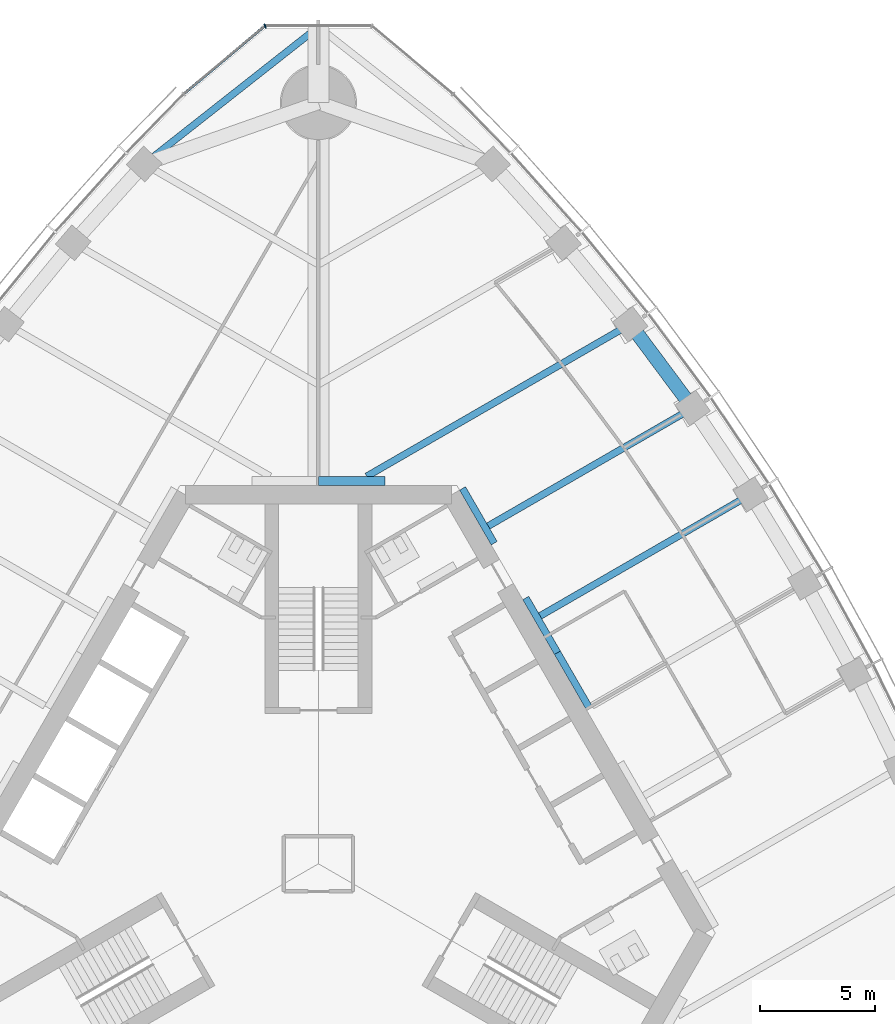
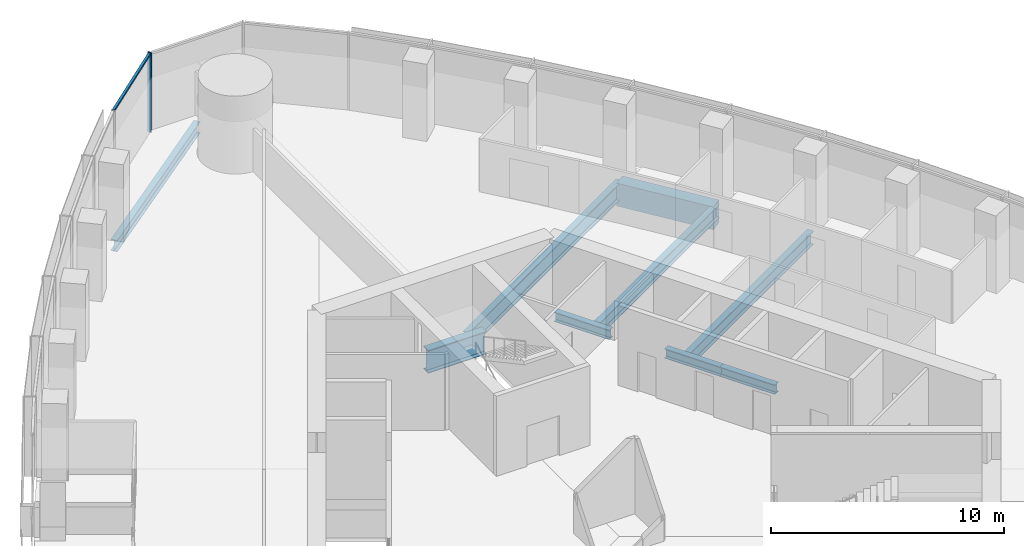
# One storey, part 6 of 20: 9 beams, 2 members, 1 element without a shape of its own.
"""IFC4 building model written with IfcOpenShell, lengths in metres."""

from ifc_helpers import new_model, si_unit, direction, frame, origin, origin_2d, place, context, subcontext, project, spatial, rectangle, i_section, extrude, material, material_profile, profile_set, type_object, element, aggregate, save


model = new_model("IFC4")

# Units and contexts
model_context = context("Model", 3, precision=1e-05, world=origin(), true_north=direction((0.0, 1.0)))
body_context = subcontext(model_context, "Body", "Model", "MODEL_VIEW")
ifc_project = project(units=[si_unit("LENGTHUNIT", "METRE"), si_unit("AREAUNIT", "SQUARE_METRE"), si_unit("VOLUMEUNIT", "CUBIC_METRE"), si_unit("PLANEANGLEUNIT", "RADIAN"), si_unit("MASSUNIT", "GRAM", prefix="KILO")], contexts=[model_context])

# Site, building, storey
site_placement = place(None, origin())
site = spatial("IfcSite", under=ifc_project, at=site_placement, CompositionType="ELEMENT")
building_placement = place(site_placement, origin())
building = spatial("IfcBuilding", under=site, at=building_placement, Name="Trefoil Bronze Tower", CompositionType="ELEMENT")
storey_placement = place(building_placement, frame((0.0, 0.0, 219.10009765625)))
storey = spatial("IfcBuildingStorey", under=building, at=storey_placement, Name="L50", CompositionType="ELEMENT", Elevation=219.10009765625)

# Curtain wall, members
ifc_material_1 = material(Name="Tinted solar-control glass", Category="glass")
curtain_wall_type = type_object("IfcCurtainWallType", Name="Bronze rounded corner curtain wall", PredefinedType="USERDEFINED", material=ifc_material_1)
curtain_wall_placement = place(storey_placement, origin())
curtain_wall = element("IfcCurtainWall", 1, at=curtain_wall_placement, inside=storey, type_object=curtain_wall_type, Name="CW-B L50 K2", ObjectType="CURTAIN WALL", PredefinedType="USERDEFINED")
ifc_material_2 = material(Name="Bronze-finish aluminium", Category="aluminium")
ifc_material_profile_1 = material_profile(ifc_material_2, rectangle(XDim=0.199951171875, YDim=0.06005859375, at=origin_2d()), Name="CW-B mullion")
ifc_profile_set_1 = profile_set([ifc_material_profile_1], Name="Bronze-finish aluminium")
member_type_1 = type_object("IfcMemberType", Name="Bronze rounded corner curtain wall mullion", PredefinedType="MULLION", material=ifc_profile_set_1)
member_1_placement = place(storey_placement, frame((-2.314453125, 36.326416015625, 0.0), z_axis=(0.0, 0.0, 1.0), x_axis=(0.342020143326, -0.939692620786, 0.0)))
member_1 = element("IfcMember", 2, at=member_1_placement, type_object=member_type_1, Name="CW-B L50 K2 mullion 3", PredefinedType="MULLION", context=body_context, shape_type="SweptSolid", body=[
    extrude(rectangle(XDim=0.199951171875, YDim=0.06005859375, at=origin_2d()), origin(), (0.0, 0.0, 1.0), 4.179931640625),
])
ifc_material_3 = material(Name="Bronze-finish aluminium", Category="aluminium")
ifc_material_profile_2 = material_profile(ifc_material_3, rectangle(XDim=0.1201171875, YDim=0.10009765625, at=origin_2d()), Name="CW-B transom")
ifc_profile_set_2 = profile_set([ifc_material_profile_2], Name="Bronze-finish aluminium")
member_type_2 = type_object("IfcMemberType", Name="Bronze rounded corner curtain wall transom", PredefinedType="USERDEFINED", material=ifc_profile_set_2)
member_2_placement = place(storey_placement, frame((-2.367431640625, 36.289794921875, 4.1298828125), z_axis=(-0.766046761698, -0.642784846501, 0.0), x_axis=(0.642784846501, -0.766046761698, 0.0)))
member_2 = element("IfcMember", 3, at=member_2_placement, type_object=member_type_2, Name="CW-B L50 K2 transom 3", ObjectType="TRANSOM", PredefinedType="USERDEFINED", context=body_context, shape_type="SweptSolid", body=[
    extrude(rectangle(XDim=0.1201171875, YDim=0.10009765625, at=origin_2d()), origin(), (0.0, 0.0, 1.0), 4.5),
])
aggregate(curtain_wall, [member_1, member_2])

# Beams
ifc_material_4 = material(Name="Steel C355", Category="steel")
ifc_material_profile_3 = material_profile(ifc_material_4, i_section(OverallWidth=0.300048828125, OverallDepth=0.5, WebThickness=0.014404296875, FlangeThickness=0.028076171875, FilletRadius=0.027099609375, at=origin_2d()), Name="HEB 500")
ifc_profile_set_3 = profile_set([ifc_material_profile_3], Name="Steel C355")
beam_type_1 = type_object("IfcBeamType", Name="Core seat beam HEB 500", PredefinedType="BEAM", material=ifc_profile_set_3)
for number, where, z_axis, x_axis, name in (
    (4, (11.734619140625, 6.77490234375, -0.4501953125), (-0.499969057507, 0.866043267704, 0.0), (-0.866043267704, -0.499969057507, 0.0), "Core seat beam F2/+0 L50"),
    (5, (10.363525390625, 9.14990234375, -0.4501953125), (-0.500035825175, 0.866004719122, 0.0), (-0.866004719122, -0.500035825175, 0.0), "Core seat beam F2/+1 L50"),
    (6, (7.62109375, 13.89990234375, -0.4501953125), (-0.500035825175, 0.866004719122, 0.0), (-0.866004719122, -0.500035825175, 0.0), "Core seat beam F2/+2 L50"),
):
    element("IfcBeam", number, at=place(storey_placement, frame(where, z_axis=z_axis, x_axis=x_axis)), inside=storey, type_object=beam_type_1, Name=name, PredefinedType="BEAM", context=body_context, shape_type="SweptSolid", body=[
        extrude(i_section(OverallWidth=0.300048828125, OverallDepth=0.5, WebThickness=0.014404296875, FlangeThickness=0.028076171875, FilletRadius=0.027099609375, at=origin_2d()), origin(), (0.0, 0.0, 1.0), 2.742431640625),
    ])
ifc_material_5 = material(Name="Steel C355", Category="steel")
ifc_material_profile_4 = material_profile(ifc_material_5, i_section(OverallWidth=0.39990234375, OverallDepth=1.199951171875, WebThickness=0.02001953125, FlangeThickness=0.0400390625, FilletRadius=0.010009765625, at=origin_2d()), Name="WPG 1200")
ifc_profile_set_4 = profile_set([ifc_material_profile_4], Name="Steel C355")
beam_type_2 = type_object("IfcBeamType", Name="Core seat beam WPG 1200", PredefinedType="BEAM", material=ifc_profile_set_4)
beam_1_placement = place(storey_placement, frame((2.88671875, 16.60009765625, -0.800048828125), z_axis=(-1.0, 0.0, 0.0), x_axis=(0.0, -1.0, 0.0)))
element("IfcBeam", 7, at=beam_1_placement, inside=storey, type_object=beam_type_2, Name="Core seat beam F2/+3 L50", PredefinedType="BEAM", context=body_context, shape_type="SweptSolid", body=[
    extrude(i_section(OverallWidth=0.39990234375, OverallDepth=1.199951171875, WebThickness=0.02001953125, FlangeThickness=0.0400390625, FilletRadius=0.010009765625, at=origin_2d()), origin(), (0.0, 0.0, 1.0), 2.88671875),
])
ifc_material_6 = material(Name="Steel C355", Category="steel")
ifc_material_profile_5 = material_profile(ifc_material_6, i_section(OverallWidth=0.300048828125, OverallDepth=0.60009765625, WebThickness=0.015380859375, FlangeThickness=0.030029296875, FilletRadius=0.027099609375, at=origin_2d()), Name="HEB 600")
ifc_profile_set_5 = profile_set([ifc_material_profile_5], Name="Steel C355")
beam_type_3 = type_object("IfcBeamType", Name="Corner edge beam HEB 600", PredefinedType="BEAM", material=ifc_profile_set_5)
beam_2_placement = place(storey_placement, frame((-7.552001953125, 30.3408203125, -0.5), z_axis=(0.785805912008, 0.618473175371, 0.0), x_axis=(-0.618473175371, 0.785805912008, 0.0)))
element("IfcBeam", 8, at=beam_2_placement, inside=storey, type_object=beam_type_3, Name="Corner edge beam F3B L50", PredefinedType="BEAM", context=body_context, shape_type="SweptSolid", body=[
    extrude(i_section(OverallWidth=0.300048828125, OverallDepth=0.60009765625, WebThickness=0.015380859375, FlangeThickness=0.030029296875, FilletRadius=0.027099609375, at=origin_2d()), origin(), (0.0, 0.0, 1.0), 9.610595703125),
])
ifc_material_7 = material(Name="Steel C355", Category="steel")
ifc_material_profile_6 = material_profile(ifc_material_7, i_section(OverallWidth=0.300048828125, OverallDepth=0.699951171875, WebThickness=0.01708984375, FlangeThickness=0.031982421875, FilletRadius=0.027099609375, at=origin_2d()), Name="HEB 700")
ifc_profile_set_6 = profile_set([ifc_material_profile_6], Name="Steel C355")
beam_type_4 = type_object("IfcBeamType", Name="Floor beam HEB 700", PredefinedType="BEAM", material=ifc_profile_set_6)
beam_3_placement = place(storey_placement, frame((18.748046875, 16.020263671875, -0.550048828125), z_axis=(-0.866027918957, -0.499995643569, 0.0), x_axis=(0.499995643569, -0.866027918957, 0.0)))
element("IfcBeam", 9, at=beam_3_placement, inside=storey, type_object=beam_type_4, Name="Floor beam F2/+1 L50", PredefinedType="BEAM", context=body_context, shape_type="SweptSolid", body=[
    extrude(i_section(OverallWidth=0.300048828125, OverallDepth=0.699951171875, WebThickness=0.01708984375, FlangeThickness=0.031982421875, FilletRadius=0.027099609375, at=origin_2d()), origin(), (0.0, 0.0, 1.0), 10.54638671875),
])
beam_4_placement = place(storey_placement, frame((16.2265625, 19.7607421875, -0.550048828125), z_axis=(-0.866027856548, -0.499995751665, 0.0), x_axis=(0.499995751665, -0.866027856548, 0.0)))
element("IfcBeam", 10, at=beam_4_placement, inside=storey, type_object=beam_type_4, Name="Floor beam F2/+2 L50", PredefinedType="BEAM", context=body_context, shape_type="SweptSolid", body=[
    extrude(i_section(OverallWidth=0.300048828125, OverallDepth=0.699951171875, WebThickness=0.01708984375, FlangeThickness=0.031982421875, FilletRadius=0.027099609375, at=origin_2d()), origin(), (0.0, 0.0, 1.0), 10.23291015625),
])
ifc_material_8 = material(Name="Steel C355", Category="steel")
ifc_material_profile_7 = material_profile(ifc_material_8, i_section(OverallWidth=0.300048828125, OverallDepth=0.89990234375, WebThickness=0.0185546875, FlangeThickness=0.034912109375, FilletRadius=0.030029296875, at=origin_2d()), Name="HEB 900")
ifc_profile_set_7 = profile_set([ifc_material_profile_7], Name="Steel C355")
beam_type_5 = type_object("IfcBeamType", Name="Floor beam HEB 900", PredefinedType="BEAM", material=ifc_profile_set_7)
beam_5_placement = place(storey_placement, frame((13.522216796875, 23.3955078125, -0.650146484375), z_axis=(-0.866028399451, -0.499994811317, 0.0), x_axis=(0.499994811317, -0.866028399451, 0.0)))
element("IfcBeam", 11, at=beam_5_placement, inside=storey, type_object=beam_type_5, Name="Floor beam F2/+3 L50", PredefinedType="BEAM", context=body_context, shape_type="SweptSolid", body=[
    extrude(i_section(OverallWidth=0.300048828125, OverallDepth=0.89990234375, WebThickness=0.0185546875, FlangeThickness=0.034912109375, FilletRadius=0.030029296875, at=origin_2d()), origin(), (0.0, 0.0, 1.0), 13.191162109375),
])
ifc_material_9 = material(Name="Concrete B80", Category="concrete")
ifc_material_profile_8 = material_profile(ifc_material_9, rectangle(XDim=0.60009765625, YDim=1.199951171875, at=origin_2d()), Name="RC 600x1200")
ifc_profile_set_8 = profile_set([ifc_material_profile_8], Name="Concrete B80")
beam_type_6 = type_object("IfcBeamType", Name="Spandrel beam RC 600x1200", PredefinedType="SPANDREL", material=ifc_profile_set_8)
beam_6_placement = place(storey_placement, frame((16.2265625, 19.7607421875, -0.800048828125), z_axis=(-0.596926078257, 0.802296240236, 0.0), x_axis=(-0.802296240236, -0.596926078257, 0.0)))
element("IfcBeam", 12, at=beam_6_placement, inside=storey, type_object=beam_type_6, Name="Spandrel F2.9 L50", PredefinedType="SPANDREL", context=body_context, shape_type="SweptSolid", body=[
    extrude(rectangle(XDim=0.60009765625, YDim=1.199951171875, at=origin_2d()), origin(), (0.0, 0.0, 1.0), 4.530517578125),
])

save(model, "model.ifc")
